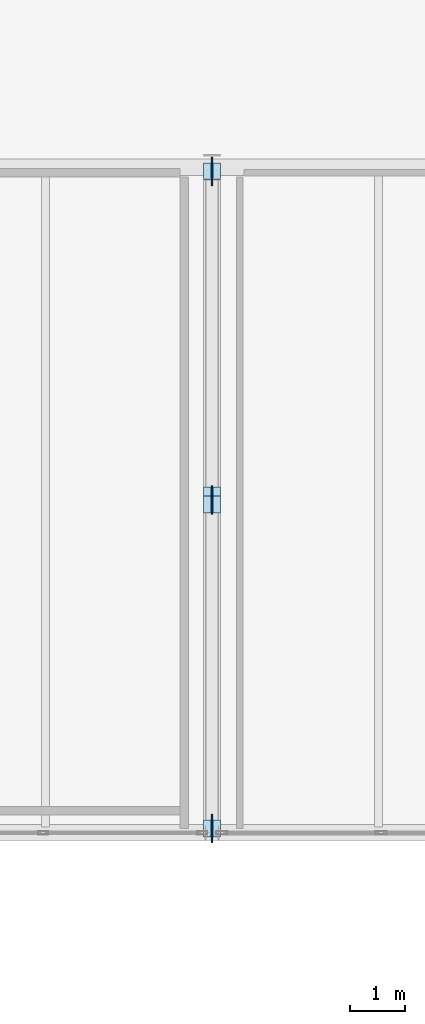
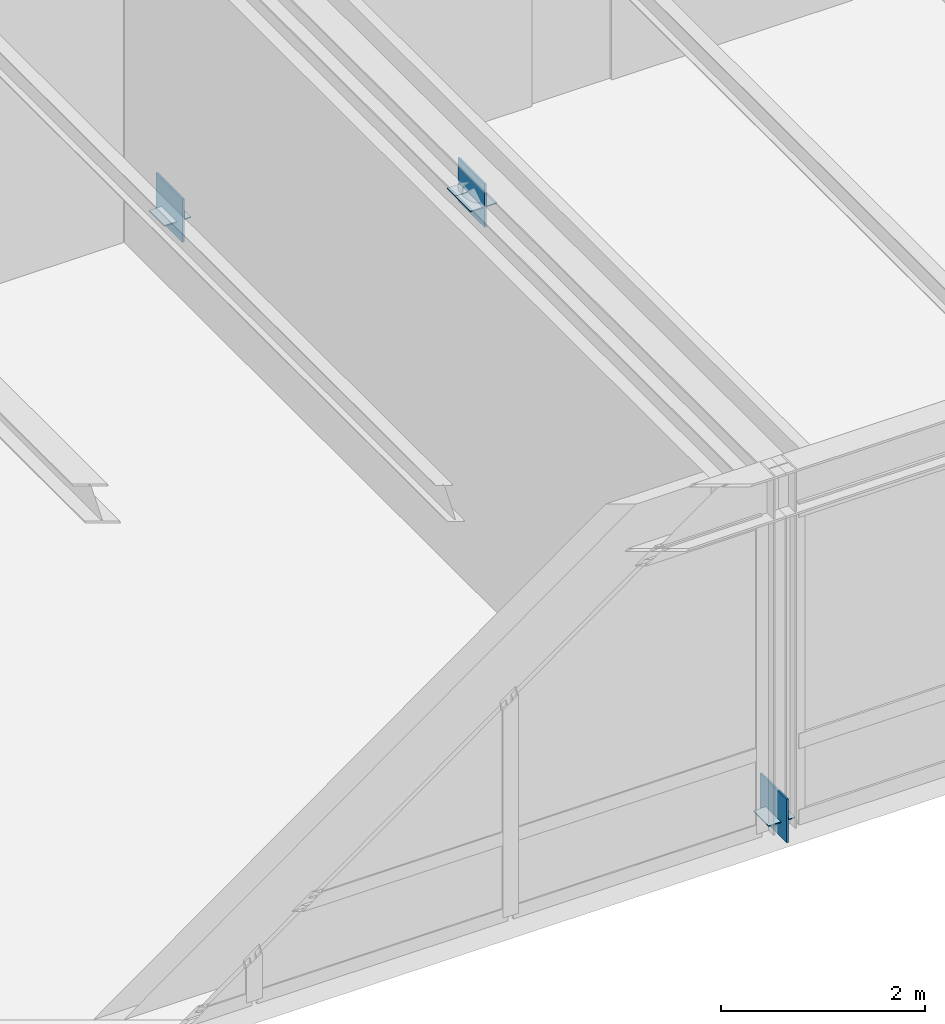
# One storey, part 52 of 67: 7 plates.
"""IFC4 building model written with IfcOpenShell, lengths in metres."""

from ifc_helpers import new_model, si_unit, direction, frame, origin, origin_2d, place, context, subcontext, project, spatial, rectangle, extrude, material, layer, layer_set, type_object, element, save


model = new_model("IFC4")

# Units and contexts
model_context = context("Model", 3, precision=1e-05, world=origin(), true_north=direction((0.0, 1.0)))
body_context = subcontext(model_context, "Body", "Model", "MODEL_VIEW")
ifc_project = project(units=[si_unit("LENGTHUNIT", "METRE"), si_unit("AREAUNIT", "SQUARE_METRE"), si_unit("VOLUMEUNIT", "CUBIC_METRE"), si_unit("PLANEANGLEUNIT", "RADIAN"), si_unit("MASSUNIT", "GRAM", prefix="KILO")], contexts=[model_context])

# Site, building, storey
site_placement = place(None, origin())
site = spatial("IfcSite", under=ifc_project, at=site_placement, CompositionType="ELEMENT")
building_placement = place(site_placement, origin())
building = spatial("IfcBuilding", under=site, at=building_placement, Name="Montelvaro Courts of Justice", CompositionType="ELEMENT")
storey_placement = place(building_placement, frame((0.0, 0.0, 18.89990234375)))
storey = spatial("IfcBuildingStorey", under=building, at=storey_placement, Name="L04", CompositionType="ELEMENT", Elevation=18.89990234375)

# Plates
ifc_material = material(Name="Steel S355", Category="steel")
ifc_layer_1 = layer(ifc_material, 0.011962890625)
ifc_layer_set_1 = layer_set([ifc_layer_1], Name="Steel S355")
plate_type_1 = type_object("IfcPlateType", Name="EndCapPlate_12", PredefinedType="USERDEFINED", material=ifc_layer_set_1)
for number, where, z_axis, x_axis, name in (
    (1, (126.0, 66.080078125, 0.07421875), (0.0, 0.0, 1.0), (1.0, 0.0, 0.0), "Brace End Cap Plate CP-01 CBF3-L04-1A"),
    (2, (126.0, 71.919921875, 3.88427734375), (0.0, 0.0, 1.0), (1.0, 0.0, 0.0), "Brace End Cap Plate CP-01 CBF3-L04-1B"),
    (3, (126.0, 77.919921875, 0.07421875), (0.0, 0.0, 1.0), (1.0, 0.0, 0.0), "Brace End Cap Plate CP-01 CBF3-L04-2A"),
    (4, (126.0, 72.080078125, 3.88427734375), (0.0, 0.0, 1.0), (1.0, 0.0, 0.0), "Brace End Cap Plate CP-01 CBF3-L04-2B"),
):
    element("IfcPlate", number, at=place(storey_placement, frame(where, z_axis=z_axis, x_axis=x_axis)), inside=storey, type_object=plate_type_1, Name=name, ObjectType="GUSSET PLATE", PredefinedType="USERDEFINED", context=body_context, shape_type="SweptSolid", body=[
        extrude(rectangle(XDim=0.300048828125, YDim=0.300048828125, at=origin_2d()), origin(), (0.0, 0.0, 1.0), 0.011962890625),
    ])
ifc_layer_2 = layer(ifc_material, 0.02001953125)
ifc_layer_set_2 = layer_set([ifc_layer_2], Name="Steel S355")
plate_type_2 = type_object("IfcPlateType", Name="GussetPlate_20", PredefinedType="USERDEFINED", material=ifc_layer_set_2)
for number, where, z_axis, x_axis, name in (
    (5, (126.0, 66.080078125, -0.099853515625), (0.0, 0.0, 1.0), (1.0, 0.0, 0.0), "Chevron Brace Base Gusset Plate GP-01 CBF3-L04-B1"),
    (6, (126.0, 77.919921875, -0.099853515625), (0.0, 0.0, 1.0), (1.0, 0.0, 0.0), "Chevron Brace Base Gusset Plate GP-01 CBF3-L04-B2"),
    (7, (126.0, 72.0, 3.670166015625), (0.0, 0.0, 1.0), (1.0, 0.0, 0.0), "Chevron Brace Gusset Plate GP-01 CBF3-L04"),
):
    element("IfcPlate", number, at=place(storey_placement, frame(where, z_axis=z_axis, x_axis=x_axis)), inside=storey, type_object=plate_type_2, Name=name, ObjectType="GUSSET PLATE", PredefinedType="USERDEFINED", context=body_context, shape_type="SweptSolid", body=[
        extrude(rectangle(XDim=0.02001953125, YDim=0.52001953125, at=origin_2d()), origin(), (0.0, 0.0, 1.0), 0.52001953125),
    ])

save(model, "model.ifc")
